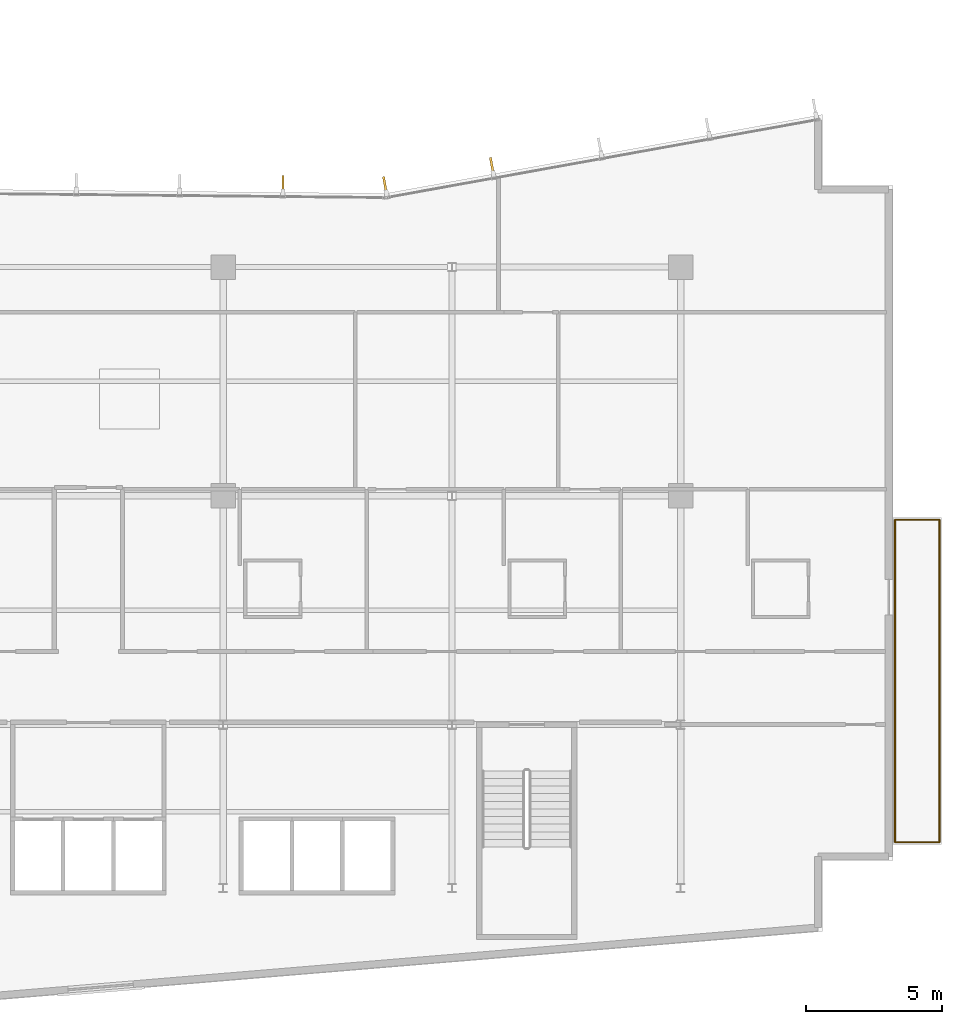
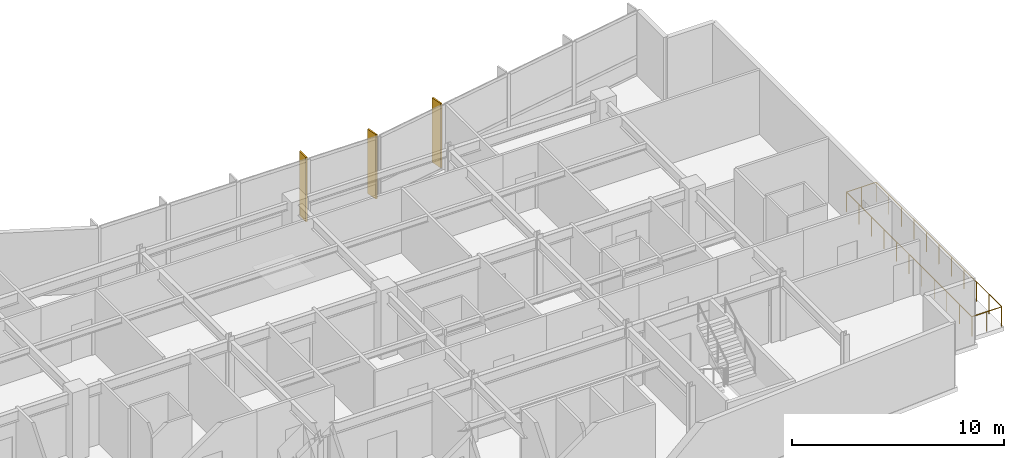
# One storey, part 17 of 19: 4 railings, 3 shading devices.
"""IFC4 building model written with IfcOpenShell, lengths in metres."""

import ifcopenshell
import ifcopenshell.guid

model = None  # the IFC model being written
_history = None  # IfcOwnerHistory: only IFC2X3 demands one
_inside = {}  # id of a spatial element -> (the spatial element, [elements in it])
_under = {}  # id of a project, library or spatial element -> (it, [spatial elements below it])
_declared = {}  # id of a project -> (the project, [libraries it declares])
_typed = {}  # id of a type object -> (the type object, [elements of that type])
_made_of = {}  # id of a material, layer set ... -> (it, [elements and type objects made of it])


def new_model(schema):
    """Start an empty IFC model of exactly this schema.

    Asked for "IFC4X3", IfcOpenShell would pick the latest addendum, in which some entities
    have other attributes; the version numbers below select the first issue.
    IFC2X3 requires an IfcOwnerHistory on every rooted entity: one is made here for all.
    """
    global model, _history
    if schema == "IFC4X3":
        model = ifcopenshell.file(schema_version=(4, 3, 0, 0))
    else:
        model = ifcopenshell.file(schema=schema)
    _inside.clear()
    _under.clear()
    _declared.clear()
    _typed.clear()
    _made_of.clear()
    _history = None
    if model.schema == "IFC2X3":
        org = make("IfcOrganization", Name="unknown")
        user = make(
            "IfcPersonAndOrganization",
            ThePerson=make("IfcPerson", FamilyName="unknown"),
            TheOrganization=org,
        )
        app = make(
            "IfcApplication",
            ApplicationDeveloper=org,
            Version="unknown",
            ApplicationFullName="unknown",
            ApplicationIdentifier="unknown",
        )
        _history = make(
            "IfcOwnerHistory",
            OwningUser=user,
            OwningApplication=app,
            ChangeAction="ADDED",
            CreationDate=0,
        )
    return model


def make(cls, **values):
    """One entity of the class cls with the attributes given. An attribute that is None is left unset."""
    return model.create_entity(
        cls, **{name: value for name, value in values.items() if value is not None}
    )


def rooted(cls, **values):
    """An entity with a GlobalId (a new one), such as an element, a storey or a relation."""
    return make(cls, GlobalId=ifcopenshell.guid.new(), OwnerHistory=_history, **values)


def si_unit(unit_type, name, prefix=None):
    """IfcSIUnit, for example si_unit("LENGTHUNIT", "METRE", prefix="MILLI")."""
    return make("IfcSIUnit", UnitType=unit_type, Prefix=prefix, Name=name)


def assignment(units):
    """IfcUnitAssignment: the units of a project."""
    return None if units is None else make("IfcUnitAssignment", Units=units)


def point(xyz):
    """IfcCartesianPoint."""
    return None if xyz is None else make("IfcCartesianPoint", Coordinates=xyz)


def direction(xyz):
    """IfcDirection."""
    return None if xyz is None else make("IfcDirection", DirectionRatios=xyz)


def frame(location, z_axis=None, x_axis=None):
    """IfcAxis2Placement3D, a coordinate frame: its origin and axes. An axis left out is left unset."""
    return make(
        "IfcAxis2Placement3D",
        Location=point(location),
        Axis=direction(z_axis),
        RefDirection=direction(x_axis),
    )


def frame_2d(location, x_axis=None):
    """IfcAxis2Placement2D, a coordinate frame in the plane: its origin and x axis."""
    return make(
        "IfcAxis2Placement2D", Location=point(location), RefDirection=direction(x_axis)
    )


def origin():
    """The frame at (0, 0, 0) with its axes left unset."""
    return frame((0.0, 0.0, 0.0))


def origin_2d():
    """The frame at (0, 0) in the plane with its x axis left unset."""
    return frame_2d((0.0, 0.0))


def place(relative_to, where):
    """IfcLocalPlacement: puts the frame where relative to a parent placement (None: the world)."""
    return make(
        "IfcLocalPlacement", PlacementRelTo=relative_to, RelativePlacement=where
    )


def context(
    kind, dimensions, precision=None, world=None, true_north=None, identifier=None
):
    """IfcGeometricRepresentationContext, for example the 3D "Model" context."""
    return make(
        "IfcGeometricRepresentationContext",
        ContextIdentifier=identifier,
        ContextType=kind,
        CoordinateSpaceDimension=dimensions,
        Precision=precision,
        WorldCoordinateSystem=world,
        TrueNorth=true_north,
    )


def subcontext(parent, identifier, kind, view, scale=None):
    """IfcGeometricRepresentationSubContext, for example "Body" below "Model"."""
    return make(
        "IfcGeometricRepresentationSubContext",
        ContextIdentifier=identifier,
        ContextType=kind,
        ParentContext=parent,
        TargetScale=scale,
        TargetView=view,
    )


def project(units=None, contexts=None):
    """IfcProject with its units and contexts."""
    return rooted(
        "IfcProject",
        Name="project",
        RepresentationContexts=contexts,
        UnitsInContext=assignment(units),
    )


def spatial(cls, under=None, at=None, **own):
    """A site, building, storey or space (cls), placed at a placement, below another one or the project."""
    s = rooted(cls, ObjectPlacement=at, **own)
    if under is not None:
        _under.setdefault(under.id(), (under, []))[1].append(s)
    return s


def profile(cls, at=None, kind="AREA", **sizes):
    """A parametric profile (cls). Its sizes go by their IFC names, for example OverallWidth=200.0."""
    return make(cls, ProfileType=kind, Position=at, **sizes)


def rectangle(**sizes):
    """IfcRectangleProfileDef."""
    return profile("IfcRectangleProfileDef", **sizes)


def circle(**sizes):
    """IfcCircleProfileDef."""
    return profile("IfcCircleProfileDef", **sizes)


def extrude(swept, where, along, depth):
    """IfcExtrudedAreaSolid: the profile swept, set in the frame where, extruded along a direction by depth."""
    return make(
        "IfcExtrudedAreaSolid",
        SweptArea=swept,
        Position=where,
        ExtrudedDirection=direction(along),
        Depth=depth,
    )


def shape(context_of_items, identifier, shape_type, items):
    """IfcShapeRepresentation: the items that make up one representation, for example the "Body"."""
    return make(
        "IfcShapeRepresentation",
        ContextOfItems=context_of_items,
        RepresentationIdentifier=identifier,
        RepresentationType=shape_type,
        Items=items,
    )


def material(Name=None, Category=None):
    """IfcMaterial."""
    return make("IfcMaterial", Name=Name, Category=Category)


def layer(
    of_material, thickness, ventilated=None, Name=None, Category=None, Priority=None
):
    """IfcMaterialLayer: one layer of a wall or slab, of a material (None: an air gap)."""
    return make(
        "IfcMaterialLayer",
        Material=of_material,
        LayerThickness=thickness,
        IsVentilated=ventilated,
        Name=Name,
        Category=Category,
        Priority=Priority,
    )


def layer_set(layers, Name=None):
    """IfcMaterialLayerSet."""
    return make("IfcMaterialLayerSet", MaterialLayers=layers, LayerSetName=Name)


def made_of(thing, what):
    """Note that an element or type object is made of a material, layer set ...; save() writes the relation."""
    if what is not None:
        _made_of.setdefault(what.id(), (what, []))[1].append(thing)
    return thing


def type_object(cls, material=None, **own):
    """A type object (cls), such as IfcWallType, which elements share."""
    return made_of(rooted(cls, **own), material)


def element(
    cls,
    number,
    at=None,
    inside=None,
    cuts=None,
    type_object=None,
    material=None,
    context=None,
    identifier="Body",
    shape_type=None,
    held_by="IfcProductDefinitionShape",
    body=None,
    shapes=None,
    **own,
):
    """One element of the class cls, such as IfcWall. Its Tag is "e" and its number.

    at: its placement. inside: the storey or other place that contains it. cuts: it is an
    opening in that element (IfcRelVoidsElement). A single representation is given by context,
    identifier, shape_type and body (its items); several are given by shapes. held_by: the class
    of the entity that holds the representations. save() writes the other relations.
    """
    e = rooted(cls, Tag="e%d" % number, ObjectPlacement=at, **own)
    if body is not None:
        shapes = [shape(context, identifier, shape_type, body)]
    if shapes is not None:
        e.Representation = make(held_by, Representations=shapes)
    if inside is not None:
        _inside.setdefault(inside.id(), (inside, []))[1].append(e)
    if cuts is not None:
        rooted(
            "IfcRelVoidsElement", RelatingBuildingElement=cuts, RelatedOpeningElement=e
        )
    if type_object is not None:
        _typed.setdefault(type_object.id(), (type_object, []))[1].append(e)
    return made_of(e, material)


def aggregate(whole, parts):
    """IfcRelAggregates: a whole, such as a stair, and the parts it consists of."""
    return rooted("IfcRelAggregates", RelatingObject=whole, RelatedObjects=parts)


def save(model, path):
    """Write the relations noted so far, then the file.

    IfcRelAggregates (storeys below a building ...), IfcRelContainedInSpatialStructure (elements
    in a storey), IfcRelDefinesByType, IfcRelAssociatesMaterial and IfcRelDeclares: one each for
    every whole, place, type object, material and project.
    """
    for whole, parts in _under.values():
        aggregate(whole, parts)
    for where, things in _inside.values():
        rooted(
            "IfcRelContainedInSpatialStructure",
            RelatedElements=things,
            RelatingStructure=where,
        )
    for kind, things in _typed.values():
        rooted("IfcRelDefinesByType", RelatedObjects=things, RelatingType=kind)
    for what, things in _made_of.values():
        rooted("IfcRelAssociatesMaterial", RelatedObjects=things, RelatingMaterial=what)
    for by, libraries in _declared.values():
        rooted("IfcRelDeclares", RelatingContext=by, RelatedDefinitions=libraries)
    model.write(path)


model = new_model("IFC4")

# Units and contexts
model_context = context("Model", 3, precision=1e-05, world=origin(), true_north=direction((0.0, 1.0)))
body_context = subcontext(model_context, "Body", "Model", "MODEL_VIEW")
ifc_project = project(units=[si_unit("LENGTHUNIT", "METRE"), si_unit("AREAUNIT", "SQUARE_METRE"), si_unit("VOLUMEUNIT", "CUBIC_METRE"), si_unit("PLANEANGLEUNIT", "RADIAN"), si_unit("MASSUNIT", "GRAM", prefix="KILO")], contexts=[model_context])

# Site, building, storey
site_placement = place(None, origin())
site = spatial("IfcSite", under=ifc_project, at=site_placement, CompositionType="ELEMENT")
building_placement = place(site_placement, origin())
building = spatial("IfcBuilding", under=site, at=building_placement, Name="Varnakote Quay Hospital", CompositionType="ELEMENT")
storey_placement = place(building_placement, frame((0.0, 0.0, 89.64990234375)))
storey = spatial("IfcBuildingStorey", under=building, at=storey_placement, Name="L22", CompositionType="ELEMENT", Elevation=89.64990234375)

# Railings
ifc_material_1 = material(Name="Anodised aluminium 6063-T6 Bronze", Category="aluminium")
railing_type = type_object("IfcRailingType", Name="RLG-EXT-GUARD-1150", PredefinedType="GUARDRAIL", material=ifc_material_1)
railing_1_placement = place(storey_placement, frame((58.27587890625, 19.52001953125, 0.0)))
element("IfcRailing", 1, at=railing_1_placement, inside=storey, type_object=railing_type, Name="L22 Zigzag Prow Healing Terrace Safety Guard", PredefinedType="GUARDRAIL", context=body_context, shape_type="SweptSolid", body=[
    extrude(circle(Radius=0.02392578125, at=origin_2d()), frame((0.0, 0.0, 1.1259765625), z_axis=(1.0, 0.0, 0.0), x_axis=(0.0, 1.0, 0.0)), (0.0, 0.0, 1.0), 1.6240234375),
    extrude(circle(Radius=0.02099609375, at=origin_2d()), origin(), (0.0, 0.0, 1.0), 1.101806640625),
    extrude(circle(Radius=0.02099609375, at=origin_2d()), frame((0.81201171875, 0.0, 0.0)), (0.0, 0.0, 1.0), 1.101806640625),
    extrude(circle(Radius=0.02099609375, at=origin_2d()), frame((1.6240234375, 0.0, 0.0)), (0.0, 0.0, 1.0), 1.101806640625),
])
railing_2_placement = place(storey_placement, frame((59.89990234375, 19.52001953125, 0.0)))
element("IfcRailing", 2, at=railing_2_placement, inside=storey, type_object=railing_type, Name="L22 Zigzag Prow Healing Terrace Safety Guard", PredefinedType="GUARDRAIL", context=body_context, shape_type="SweptSolid", body=[
    extrude(circle(Radius=0.02392578125, at=origin_2d()), frame((0.0, 0.0, 1.1259765625), z_axis=(0.0, -1.0, 0.0), x_axis=(1.0, 0.0, 0.0)), (0.0, 0.0, 1.0), 11.840087890625),
    extrude(circle(Radius=0.02099609375, at=origin_2d()), origin(), (0.0, 0.0, 1.0), 1.101806640625),
    extrude(circle(Radius=0.02099609375, at=origin_2d()), frame((0.0, -1.18408203125, 0.0)), (0.0, 0.0, 1.0), 1.101806640625),
    extrude(circle(Radius=0.02099609375, at=origin_2d()), frame((0.0, -2.367919921875, 0.0)), (0.0, 0.0, 1.0), 1.101806640625),
    extrude(circle(Radius=0.02099609375, at=origin_2d()), frame((0.0, -3.552001953125, 0.0)), (0.0, 0.0, 1.0), 1.101806640625),
    extrude(circle(Radius=0.02099609375, at=origin_2d()), frame((0.0, -4.736083984375, 0.0)), (0.0, 0.0, 1.0), 1.101806640625),
    extrude(circle(Radius=0.02099609375, at=origin_2d()), frame((0.0, -5.919921875, 0.0)), (0.0, 0.0, 1.0), 1.101806640625),
    extrude(circle(Radius=0.02099609375, at=origin_2d()), frame((0.0, -7.10400390625, 0.0)), (0.0, 0.0, 1.0), 1.101806640625),
    extrude(circle(Radius=0.02099609375, at=origin_2d()), frame((0.0, -8.2880859375, 0.0)), (0.0, 0.0, 1.0), 1.101806640625),
    extrude(circle(Radius=0.02099609375, at=origin_2d()), frame((0.0, -9.47216796875, 0.0)), (0.0, 0.0, 1.0), 1.101806640625),
    extrude(circle(Radius=0.02099609375, at=origin_2d()), frame((0.0, -10.656005859375, 0.0)), (0.0, 0.0, 1.0), 1.101806640625),
    extrude(circle(Radius=0.02099609375, at=origin_2d()), frame((0.0, -11.840087890625, 0.0)), (0.0, 0.0, 1.0), 1.101806640625),
])
railing_3_placement = place(storey_placement, frame((59.89990234375, 7.679931640625, 0.0)))
element("IfcRailing", 3, at=railing_3_placement, inside=storey, type_object=railing_type, Name="L22 Zigzag Prow Healing Terrace Safety Guard", PredefinedType="GUARDRAIL", context=body_context, shape_type="SweptSolid", body=[
    extrude(circle(Radius=0.02392578125, at=origin_2d()), frame((0.0, 0.0, 1.1259765625), z_axis=(-1.0, 0.0, 0.0), x_axis=(0.0, -1.0, 0.0)), (0.0, 0.0, 1.0), 1.6240234375),
    extrude(circle(Radius=0.02099609375, at=origin_2d()), origin(), (0.0, 0.0, 1.0), 1.101806640625),
    extrude(circle(Radius=0.02099609375, at=origin_2d()), frame((-0.81201171875, 0.0, 0.0)), (0.0, 0.0, 1.0), 1.101806640625),
    extrude(circle(Radius=0.02099609375, at=origin_2d()), frame((-1.6240234375, 0.0, 0.0)), (0.0, 0.0, 1.0), 1.101806640625),
])
railing_4_placement = place(storey_placement, frame((58.27587890625, 7.679931640625, 0.0)))
element("IfcRailing", 4, at=railing_4_placement, inside=storey, type_object=railing_type, Name="L22 Zigzag Prow Healing Terrace Safety Guard", PredefinedType="GUARDRAIL", context=body_context, shape_type="SweptSolid", body=[
    extrude(circle(Radius=0.02392578125, at=origin_2d()), frame((0.0, 0.0, 1.1259765625), z_axis=(0.0, 1.0, 0.0), x_axis=(-1.0, 0.0, 0.0)), (0.0, 0.0, 1.0), 11.840087890625),
    extrude(circle(Radius=0.02099609375, at=origin_2d()), origin(), (0.0, 0.0, 1.0), 1.101806640625),
    extrude(circle(Radius=0.02099609375, at=origin_2d()), frame((0.0, 1.18408203125, 0.0)), (0.0, 0.0, 1.0), 1.101806640625),
    extrude(circle(Radius=0.02099609375, at=origin_2d()), frame((0.0, 2.367919921875, 0.0)), (0.0, 0.0, 1.0), 1.101806640625),
    extrude(circle(Radius=0.02099609375, at=origin_2d()), frame((0.0, 3.552001953125, 0.0)), (0.0, 0.0, 1.0), 1.101806640625),
    extrude(circle(Radius=0.02099609375, at=origin_2d()), frame((0.0, 4.736083984375, 0.0)), (0.0, 0.0, 1.0), 1.101806640625),
    extrude(circle(Radius=0.02099609375, at=origin_2d()), frame((0.0, 5.919921875, 0.0)), (0.0, 0.0, 1.0), 1.101806640625),
    extrude(circle(Radius=0.02099609375, at=origin_2d()), frame((0.0, 7.10400390625, 0.0)), (0.0, 0.0, 1.0), 1.101806640625),
    extrude(circle(Radius=0.02099609375, at=origin_2d()), frame((0.0, 8.2880859375, 0.0)), (0.0, 0.0, 1.0), 1.101806640625),
    extrude(circle(Radius=0.02099609375, at=origin_2d()), frame((0.0, 9.47216796875, 0.0)), (0.0, 0.0, 1.0), 1.101806640625),
    extrude(circle(Radius=0.02099609375, at=origin_2d()), frame((0.0, 10.656005859375, 0.0)), (0.0, 0.0, 1.0), 1.101806640625),
    extrude(circle(Radius=0.02099609375, at=origin_2d()), frame((0.0, 11.840087890625, 0.0)), (0.0, 0.0, 1.0), 1.101806640625),
])

# Shading devices
ifc_material_2 = material(Name="Anodised aluminium 6063-T6 Bronze", Category="aluminium")
ifc_layer = layer(ifc_material_2, 0.0849609375)
ifc_layer_set = layer_set([ifc_layer], Name="Anodised aluminium 6063-T6 Bronze")
shading_device_type = type_object("IfcShadingDeviceType", Name="SHD-BRONZE-FIN-620", PredefinedType="USERDEFINED", material=ifc_layer_set)
for number, where, z_axis, x_axis, name in (
    (5, (43.468505859375, 32.522705078125, 0.0), (0.0, 0.0, 1.0), (0.177771795263, -0.984071739666, 0.0), "L22 Anodised Bronze Vertical Shading FIN"),
    (6, (39.54296875, 31.81298828125, 0.0), (0.0, 0.0, 1.0), (0.177771795263, -0.984071739666, 0.0), "L22 Anodised Bronze Vertical Shading FIN"),
    (7, (35.798583984375, 31.85107421875, 0.0), (0.0, 0.0, 1.0), (-0.009773688199, -0.999952236369, 0.0), "L22 Anodised Bronze Vertical Shading FIN"),
):
    element("IfcShadingDevice", number, at=place(storey_placement, frame(where, z_axis=z_axis, x_axis=x_axis)), inside=storey, type_object=shading_device_type, Name=name, ObjectType="FIN", PredefinedType="USERDEFINED", context=body_context, shape_type="SweptSolid", body=[
        extrude(rectangle(XDim=0.6201171875, YDim=0.0849609375, at=origin_2d()), origin(), (0.0, 0.0, 1.0), 3.7099609375),
    ])

save(model, "model.ifc")
